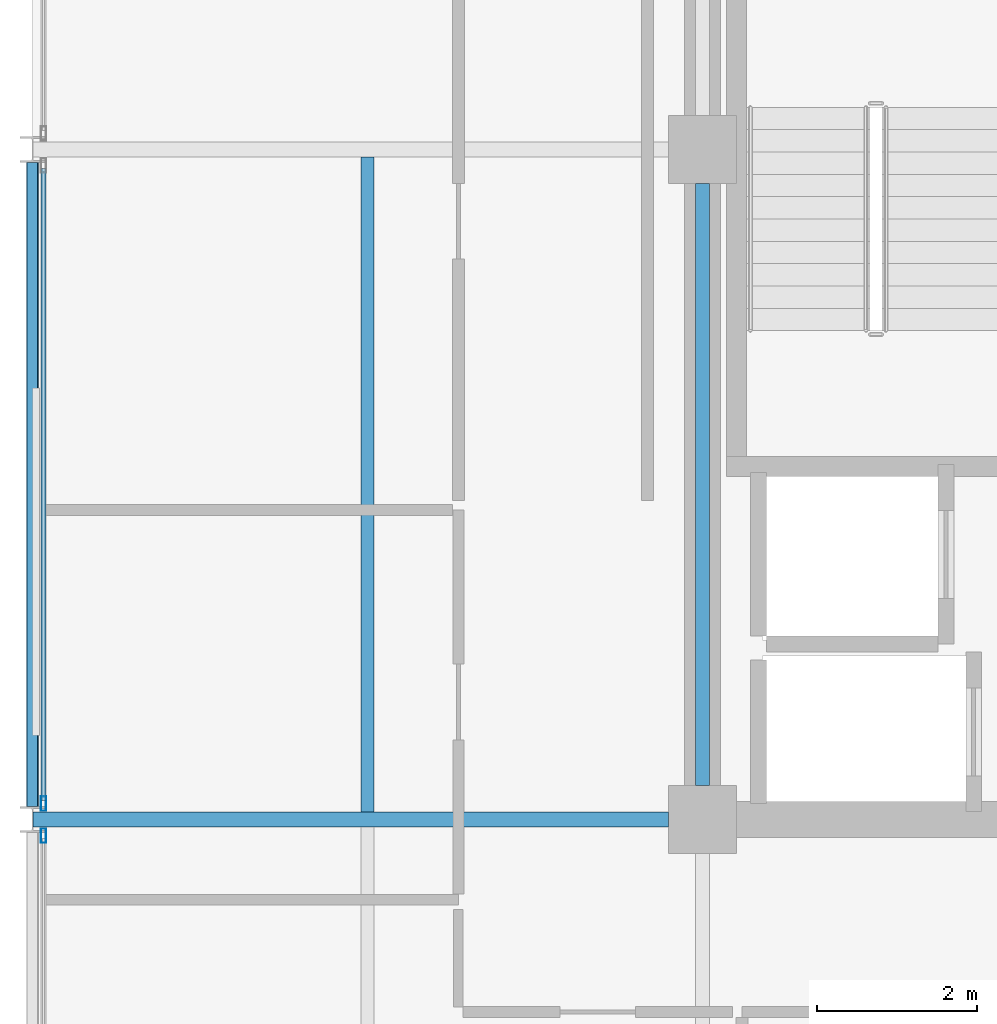
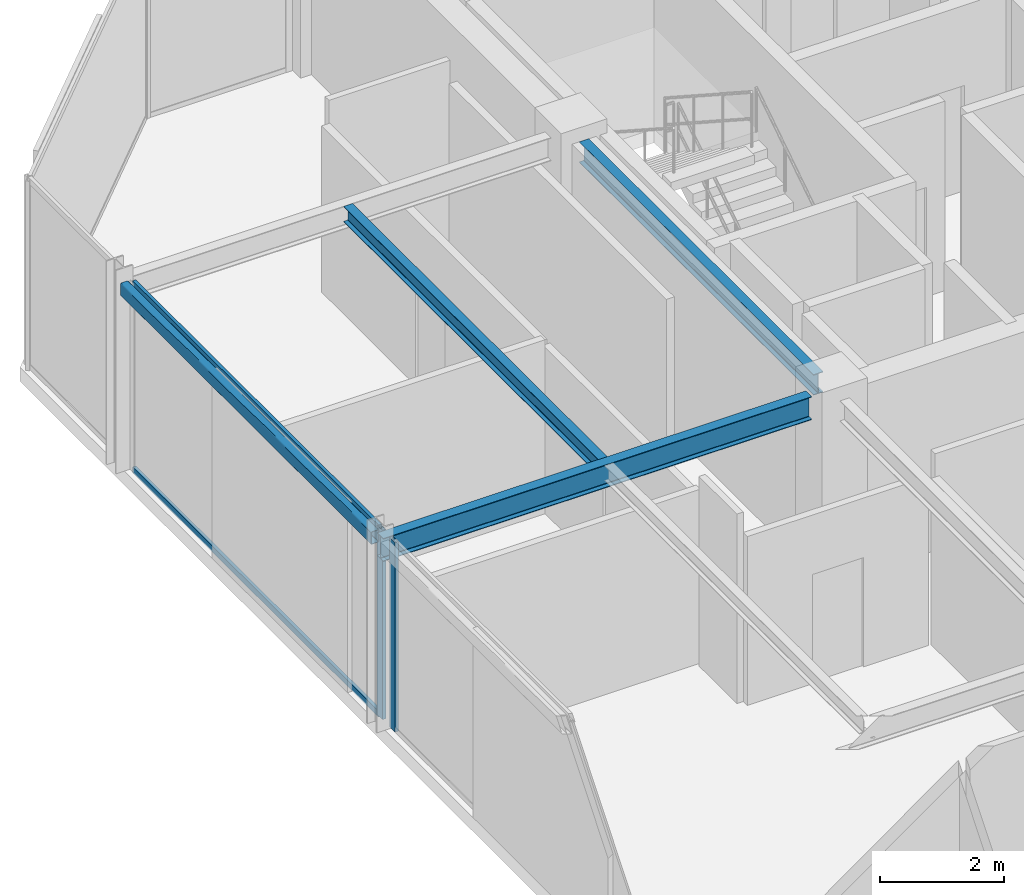
# One storey, part 11 of 24: 4 beams, 4 members, 2 elements without a shape of their own.
"""IFC4 building model written with IfcOpenShell, lengths in metres."""

from ifc_helpers import new_model, si_unit, direction, frame, origin, origin_2d, place, context, subcontext, project, spatial, hollow_rectangle, i_section, extrude, material, layer, layer_set, material_profile, profile_set, type_object, element, aggregate, save


model = new_model("IFC4")

# Units and contexts
model_context = context("Model", 3, precision=1e-05, world=origin(), true_north=direction((0.0, 1.0)))
body_context = subcontext(model_context, "Body", "Model", "MODEL_VIEW")
ifc_project = project(units=[si_unit("LENGTHUNIT", "METRE"), si_unit("AREAUNIT", "SQUARE_METRE"), si_unit("VOLUMEUNIT", "CUBIC_METRE"), si_unit("PLANEANGLEUNIT", "RADIAN"), si_unit("MASSUNIT", "GRAM", prefix="KILO")], contexts=[model_context])

# Site, building, storey
site_placement = place(None, origin())
site = spatial("IfcSite", under=ifc_project, at=site_placement, CompositionType="ELEMENT")
building_placement = place(site_placement, origin())
building = spatial("IfcBuilding", under=site, at=building_placement, Name="Nerrivon Quay Data Exchange", CompositionType="ELEMENT")
storey_placement = place(building_placement, frame((0.0, 0.0, 310.199951171875)))
storey = spatial("IfcBuildingStorey", under=building, at=storey_placement, Name="L74", CompositionType="ELEMENT", Elevation=310.199951171875)

# Beams
ifc_material_1 = material(Name="Steel Grade 350", Category="steel")
ifc_material_profile_1 = material_profile(ifc_material_1, i_section(OverallWidth=0.18994140625, OverallDepth=0.4541015625, WebThickness=0.008544921875, FlangeThickness=0.0126953125, FilletRadius=0.011474609375, at=origin_2d()), Name="460UB67.1")
ifc_profile_set_1 = profile_set([ifc_material_profile_1], Name="Steel Grade 350")
beam_type_1 = type_object("IfcBeamType", Name="BM-G6-460UB67", PredefinedType="BEAM", material=ifc_profile_set_1)
beam_1_placement = place(storey_placement, frame((0.0078125, 25.199951171875, 3.498046875), z_axis=(1.0, 0.0, 0.0), x_axis=(0.0, 1.0, 0.0)))
element("IfcBeam", 1, at=beam_1_placement, inside=storey, type_object=beam_type_1, Name="L74 EW Girder Y=25.2 (0.0..8.4)", PredefinedType="BEAM", context=body_context, shape_type="SweptSolid", body=[
    extrude(i_section(OverallWidth=0.18994140625, OverallDepth=0.4541015625, WebThickness=0.008544921875, FlangeThickness=0.0126953125, FilletRadius=0.011474609375, at=origin_2d()), origin(), (0.0, 0.0, 1.0), 7.96728515625),
])
ifc_material_profile_2 = material_profile(ifc_material_1, i_section(OverallWidth=0.177978515625, OverallDepth=0.406005859375, WebThickness=0.0078125, FlangeThickness=0.0126953125, FilletRadius=0.011474609375, at=origin_2d()), Name="410UB59.7")
ifc_profile_set_2 = profile_set([ifc_material_profile_2], Name="Steel Grade 350")
beam_type_2 = type_object("IfcBeamType", Name="BM-J1-410UB60", PredefinedType="JOIST", material=ifc_profile_set_2)
beam_2_placement = place(storey_placement, frame((8.39990234375, 25.625, 3.52197265625), z_axis=(0.0, 1.0, 0.0), x_axis=(-1.0, 0.0, 0.0)))
element("IfcBeam", 2, at=beam_2_placement, inside=storey, type_object=beam_type_2, Name="L74 NS Girder X=8.4 (25.2..33.6)", PredefinedType="JOIST", context=body_context, shape_type="SweptSolid", body=[
    extrude(i_section(OverallWidth=0.177978515625, OverallDepth=0.406005859375, WebThickness=0.0078125, FlangeThickness=0.0126953125, FilletRadius=0.011474609375, at=origin_2d()), origin(), (0.0, 0.0, 1.0), 7.550048828125),
])
ifc_material_profile_3 = material_profile(ifc_material_1, i_section(OverallWidth=0.1650390625, OverallDepth=0.303955078125, WebThickness=0.006103515625, FlangeThickness=0.01025390625, FilletRadius=0.011474609375, at=origin_2d()), Name="310UB40.4")
ifc_profile_set_3 = profile_set([ifc_material_profile_3], Name="Steel Grade 350")
beam_type_3 = type_object("IfcBeamType", Name="BM-J6-310UB40", PredefinedType="JOIST", material=ifc_profile_set_3)
beam_3_placement = place(storey_placement, frame((4.199951171875, 25.294921875, 3.572998046875), z_axis=(0.0, 1.0, 0.0), x_axis=(-1.0, 0.0, 0.0)))
element("IfcBeam", 3, at=beam_3_placement, inside=storey, type_object=beam_type_3, Name="L74 Secondary Joist X=4.2 (25.2..33.6)", PredefinedType="JOIST", context=body_context, shape_type="SweptSolid", body=[
    extrude(i_section(OverallWidth=0.1650390625, OverallDepth=0.303955078125, WebThickness=0.006103515625, FlangeThickness=0.01025390625, FilletRadius=0.011474609375, at=origin_2d()), origin(), (0.0, 0.0, 1.0), 8.2099609375),
])
ifc_material_2 = material(Name="Steel Grade C350L0 (350 MPa)", Category="steel")
ifc_material_profile_4 = material_profile(ifc_material_2, hollow_rectangle(XDim=0.14990234375, YDim=0.25, WallThickness=0.009033203125, InnerFilletRadius=0.013427734375, OuterFilletRadius=0.0224609375, at=origin_2d()), Name="250x150x9.0RHS")
ifc_profile_set_4 = profile_set([ifc_material_profile_4], Name="Steel Grade C350L0 (350 MPa)")
beam_type_4 = type_object("IfcBeamType", Name="BM-SP4-250x150RHS", PredefinedType="SPANDREL", material=ifc_profile_set_4)
beam_4_placement = place(storey_placement, frame((0.0, 25.363525390625, 3.60009765625), z_axis=(0.0, 1.0, 0.0), x_axis=(-1.0, 0.0, 0.0)))
element("IfcBeam", 4, at=beam_4_placement, inside=storey, type_object=beam_type_4, Name="L74 NS Girder X=0.0 (25.2..33.6)", PredefinedType="SPANDREL", context=body_context, shape_type="SweptSolid", body=[
    extrude(hollow_rectangle(XDim=0.14990234375, YDim=0.25, WallThickness=0.009033203125, InnerFilletRadius=0.013427734375, OuterFilletRadius=0.0224609375, at=origin_2d()), origin(), (0.0, 0.0, 1.0), 8.072998046875),
])

# Curtain wall, member
ifc_material_3 = material(Name="Anodised aluminium 6063-T6", Category="aluminium")
ifc_layer = layer(ifc_material_3, 0.195068359375)
ifc_layer_set = layer_set([ifc_layer], Name="Anodised aluminium 6063-T6")
curtain_wall_type = type_object("IfcCurtainWallType", Name="CW-SYS-06", PredefinedType="NOTDEFINED", material=ifc_layer_set)
curtain_wall_1_placement = place(storey_placement, origin())
curtain_wall_1 = element("IfcCurtainWall", 5, at=curtain_wall_1_placement, inside=storey, type_object=curtain_wall_type, Name="L74 Unitised Curtain Wall 10", PredefinedType="NOTDEFINED")
ifc_material_profile_5 = material_profile(ifc_material_3, hollow_rectangle(XDim=0.06494140625, YDim=0.179931640625, WallThickness=0.00341796875, at=origin_2d()), Name="ALU-MULL-180x65")
ifc_profile_set_5 = profile_set([ifc_material_profile_5], Name="Anodised aluminium 6063-T6")
member_type_1 = type_object("IfcMemberType", Name="CWM-180x65", PredefinedType="MULLION", material=ifc_profile_set_5)
member_1_placement = place(storey_placement, frame((0.139892578125, 24.9990234375, 0.0), z_axis=(0.0, 0.0, 1.0), x_axis=(-1.0, 0.0, 0.0)))
member_1 = element("IfcMember", 6, at=member_1_placement, type_object=member_type_1, Name="CW06 mullion 2", PredefinedType="MULLION", context=body_context, shape_type="SweptSolid", body=[
    extrude(hollow_rectangle(XDim=0.06494140625, YDim=0.179931640625, WallThickness=0.00341796875, at=origin_2d()), origin(), (0.0, 0.0, 1.0), 3.72509765625),
])
aggregate(curtain_wall_1, [member_1])

# Curtain wall, members
curtain_wall_2_placement = place(storey_placement, origin())
curtain_wall_2 = element("IfcCurtainWall", 7, at=curtain_wall_2_placement, inside=storey, type_object=curtain_wall_type, Name="L74 Unitised Curtain Wall 11", PredefinedType="NOTDEFINED")
member_2_placement = place(storey_placement, frame((0.139892578125, 25.40087890625, 0.0), z_axis=(0.0, 0.0, 1.0), x_axis=(-1.0, 0.0, 0.0)))
member_2 = element("IfcMember", 8, at=member_2_placement, type_object=member_type_1, Name="CW06 mullion 1", PredefinedType="MULLION", context=body_context, shape_type="SweptSolid", body=[
    extrude(hollow_rectangle(XDim=0.06494140625, YDim=0.179931640625, WallThickness=0.00341796875, at=origin_2d()), origin(), (0.0, 0.0, 1.0), 3.72509765625),
])
ifc_material_profile_6 = material_profile(ifc_material_3, hollow_rectangle(XDim=0.06005859375, YDim=0.1201171875, WallThickness=0.003173828125, at=origin_2d()), Name="ALU-TRAN-120x60")
ifc_profile_set_6 = profile_set([ifc_material_profile_6], Name="Anodised aluminium 6063-T6")
member_type_2 = type_object("IfcMemberType", Name="CWT-120x60", PredefinedType="USERDEFINED", material=ifc_profile_set_6)
member_3_placement = place(storey_placement, frame((0.139892578125, 25.4384765625, 0.032470703125), z_axis=(0.0, 1.0, 0.0), x_axis=(-1.0, 0.0, 0.0)))
member_3 = element("IfcMember", 9, at=member_3_placement, type_object=member_type_2, Name="CW06 transom 1.1", ObjectType="TRANSOM", PredefinedType="USERDEFINED", context=body_context, shape_type="SweptSolid", body=[
    extrude(hollow_rectangle(XDim=0.06005859375, YDim=0.1201171875, WallThickness=0.003173828125, at=origin_2d()), origin(), (0.0, 0.0, 1.0), 7.923095703125),
])
member_4_placement = place(storey_placement, frame((0.139892578125, 25.4384765625, 3.692626953125), z_axis=(0.0, 1.0, 0.0), x_axis=(-1.0, 0.0, 0.0)))
member_4 = element("IfcMember", 10, at=member_4_placement, type_object=member_type_2, Name="CW06 transom 1.2", ObjectType="TRANSOM", PredefinedType="USERDEFINED", context=body_context, shape_type="SweptSolid", body=[
    extrude(hollow_rectangle(XDim=0.06005859375, YDim=0.1201171875, WallThickness=0.003173828125, at=origin_2d()), origin(), (0.0, 0.0, 1.0), 7.923095703125),
])
aggregate(curtain_wall_2, [member_2, member_3, member_4])

save(model, "model.ifc")
